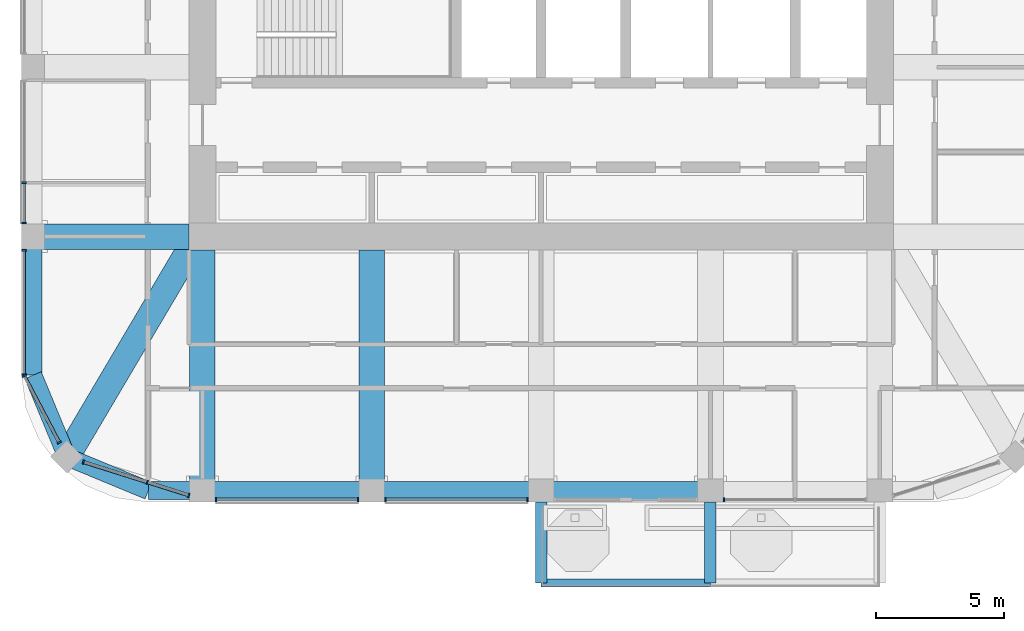
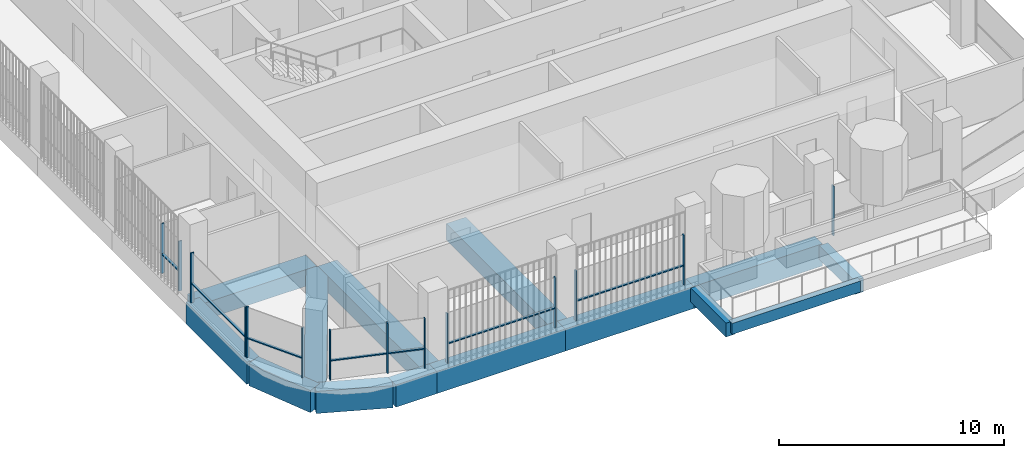
# One storey, part 2 of 21: 21 members, 14 beams, 7 elements without a shape of their own.
"""IFC4 building model written with IfcOpenShell, lengths in metres."""

from ifc_helpers import new_model, si_unit, direction, frame, origin, origin_2d, place, context, subcontext, project, spatial, rectangle, extrude, material, material_profile, profile_set, type_object, element, aggregate, save


model = new_model("IFC4")

# Units and contexts
model_context = context("Model", 3, precision=1e-05, world=origin(), true_north=direction((0.0, 1.0)))
body_context = subcontext(model_context, "Body", "Model", "MODEL_VIEW")
ifc_project = project(units=[si_unit("LENGTHUNIT", "METRE"), si_unit("AREAUNIT", "SQUARE_METRE"), si_unit("VOLUMEUNIT", "CUBIC_METRE"), si_unit("PLANEANGLEUNIT", "RADIAN"), si_unit("MASSUNIT", "GRAM", prefix="KILO")], contexts=[model_context])

# Site, building, storey
site_placement = place(None, origin())
site = spatial("IfcSite", under=ifc_project, at=site_placement, CompositionType="ELEMENT")
building_placement = place(site_placement, origin())
building = spatial("IfcBuilding", under=site, at=building_placement, Name="Cobogo Forest Laboratory Tower", CompositionType="ELEMENT")
storey_placement = place(building_placement, frame((0.0, 0.0, 275.39990234375)))
storey = spatial("IfcBuildingStorey", under=building, at=storey_placement, Name="L63", CompositionType="ELEMENT", Elevation=275.39990234375)

# Beams
ifc_material_1 = material(Name="Concrete HA-40 (C40/50)", Category="concrete")
ifc_material_profile_1 = material_profile(ifc_material_1, rectangle(XDim=0.449951171875, YDim=0.75, at=origin_2d()), Name="RC 450x750")
ifc_profile_set_1 = profile_set([ifc_material_profile_1], Name="Concrete HA-40 (C40/50)")
beam_type_1 = type_object("IfcBeamType", Name="Balcony cantilever beam 450x750", PredefinedType="BEAM", material=ifc_profile_set_1)
for number, where, z_axis, x_axis, name in (
    (1, (26.39990234375, 2.85009765625, -0.625), (0.0, -1.0, 0.0), (1.0, 0.0, 0.0), "CB1 BAL-S1-C1 L63"),
    (2, (33.0, 2.85009765625, -0.625), (0.0, -1.0, 0.0), (1.0, 0.0, 0.0), "CB1 BAL-S1-C2 L63"),
):
    element("IfcBeam", number, at=place(storey_placement, frame(where, z_axis=z_axis, x_axis=x_axis)), inside=storey, type_object=beam_type_1, Name=name, PredefinedType="BEAM", context=body_context, shape_type="SweptSolid", body=[
        extrude(rectangle(XDim=0.449951171875, YDim=0.75, at=origin_2d()), origin(), (0.0, 0.0, 1.0), 3.150146484375),
    ])
ifc_material_profile_2 = material_profile(ifc_material_1, rectangle(XDim=0.300048828125, YDim=0.60009765625, at=origin_2d()), Name="RC 300x600")
ifc_profile_set_2 = profile_set([ifc_material_profile_2], Name="Concrete HA-40 (C40/50)")
beam_type_2 = type_object("IfcBeamType", Name="Balcony edge beam 300x600", PredefinedType="BEAM", material=ifc_profile_set_2)
beam_1_placement = place(storey_placement, frame((26.39990234375, -0.300048828125, -0.5498046875), z_axis=(1.0, 0.0, 0.0), x_axis=(0.0, 1.0, 0.0)))
element("IfcBeam", 3, at=beam_1_placement, inside=storey, type_object=beam_type_2, Name="BB1 BAL-S1-T1 L63", PredefinedType="BEAM", context=body_context, shape_type="SweptSolid", body=[
    extrude(rectangle(XDim=0.300048828125, YDim=0.60009765625, at=origin_2d()), origin(), (0.0, 0.0, 1.0), 6.60009765625),
])

# Curtain wall, members
ifc_material_2 = material(Name="Aluminium curtain wall", Category="aluminium")
curtain_wall_type = type_object("IfcCurtainWallType", Name="CW-2 unitised curtain wall, solar control glazing, laboratory floors zones C and D", PredefinedType="USERDEFINED", material=ifc_material_2)
curtain_wall_1_placement = place(storey_placement, origin())
curtain_wall_1 = element("IfcCurtainWall", 4, at=curtain_wall_1_placement, inside=storey, type_object=curtain_wall_type, Name="Curtain wall 01 L63", ObjectType="UNITISED CURTAIN WALL", PredefinedType="USERDEFINED")
ifc_material_3 = material(Name="Aluminium mullion", Category="aluminium")
ifc_material_profile_3 = material_profile(ifc_material_3, rectangle(XDim=0.06005859375, YDim=0.159912109375, at=origin_2d()), Name="AL 60x160")
ifc_profile_set_3 = profile_set([ifc_material_profile_3], Name="Aluminium mullion")
member_type_1 = type_object("IfcMemberType", Name="MU-1 aluminium mullion 60x160", PredefinedType="MULLION", material=ifc_profile_set_3)
member_1_placement = place(storey_placement, frame((13.72998046875, 2.949951171875, 0.0), z_axis=(0.0, 0.0, 1.0), x_axis=(1.0, 0.0, 0.0)))
member_1 = element("IfcMember", 5, at=member_1_placement, type_object=member_type_1, Name="CW-2 mullion 1", PredefinedType="MULLION", context=body_context, shape_type="SweptSolid", body=[
    extrude(rectangle(XDim=0.06005859375, YDim=0.159912109375, at=origin_2d()), origin(), (0.0, 0.0, 1.0), 2.7001953125),
])
member_2_placement = place(storey_placement, frame((19.27001953125, 2.949951171875, 0.0), z_axis=(0.0, 0.0, 1.0), x_axis=(1.0, 0.0, 0.0)))
member_2 = element("IfcMember", 6, at=member_2_placement, type_object=member_type_1, Name="CW-2 mullion 2", PredefinedType="MULLION", context=body_context, shape_type="SweptSolid", body=[
    extrude(rectangle(XDim=0.06005859375, YDim=0.159912109375, at=origin_2d()), origin(), (0.0, 0.0, 1.0), 2.7001953125),
])

curtain_wall_2_placement = place(storey_placement, origin())
curtain_wall_2 = element("IfcCurtainWall", 7, at=curtain_wall_2_placement, inside=storey, type_object=curtain_wall_type, Name="Curtain wall 02 L63", ObjectType="UNITISED CURTAIN WALL", PredefinedType="USERDEFINED")
member_3_placement = place(storey_placement, frame((20.330078125, 2.949951171875, 0.0), z_axis=(0.0, 0.0, 1.0), x_axis=(1.0, 0.0, 0.0)))
member_3 = element("IfcMember", 8, at=member_3_placement, type_object=member_type_1, Name="CW-2 mullion 1", PredefinedType="MULLION", context=body_context, shape_type="SweptSolid", body=[
    extrude(rectangle(XDim=0.06005859375, YDim=0.159912109375, at=origin_2d()), origin(), (0.0, 0.0, 1.0), 2.7001953125),
])
member_4_placement = place(storey_placement, frame((25.8701171875, 2.949951171875, 0.0), z_axis=(0.0, 0.0, 1.0), x_axis=(1.0, 0.0, 0.0)))
member_4 = element("IfcMember", 9, at=member_4_placement, type_object=member_type_1, Name="CW-2 mullion 2", PredefinedType="MULLION", context=body_context, shape_type="SweptSolid", body=[
    extrude(rectangle(XDim=0.06005859375, YDim=0.159912109375, at=origin_2d()), origin(), (0.0, 0.0, 1.0), 2.7001953125),
])

# Curtain wall, member
curtain_wall_3_placement = place(storey_placement, origin())
curtain_wall_3 = element("IfcCurtainWall", 10, at=curtain_wall_3_placement, inside=storey, type_object=curtain_wall_type, Name="Curtain wall 04 L63", ObjectType="UNITISED CURTAIN WALL", PredefinedType="USERDEFINED")
member_5_placement = place(storey_placement, frame((33.530029296875, 2.949951171875, 0.0), z_axis=(0.0, 0.0, 1.0), x_axis=(1.0, 0.0, 0.0)))
member_5 = element("IfcMember", 11, at=member_5_placement, type_object=member_type_1, Name="CW-2 mullion 1", PredefinedType="MULLION", context=body_context, shape_type="SweptSolid", body=[
    extrude(rectangle(XDim=0.06005859375, YDim=0.159912109375, at=origin_2d()), origin(), (0.0, 0.0, 1.0), 2.7001953125),
])
aggregate(curtain_wall_3, [member_5])

# Curtain wall, members
curtain_wall_4_placement = place(storey_placement, origin())
curtain_wall_4 = element("IfcCurtainWall", 12, at=curtain_wall_4_placement, inside=storey, type_object=curtain_wall_type, Name="Curtain wall 23 L63", ObjectType="UNITISED CURTAIN WALL", PredefinedType="USERDEFINED")
member_6_placement = place(storey_placement, frame((6.25, 15.300048828125, 0.0), z_axis=(0.0, 0.0, 1.0), x_axis=(0.0, -1.0, 0.0)))
member_6 = element("IfcMember", 13, at=member_6_placement, type_object=member_type_1, Name="CW-2 mullion 2", PredefinedType="MULLION", context=body_context, shape_type="SweptSolid", body=[
    extrude(rectangle(XDim=0.06005859375, YDim=0.159912109375, at=origin_2d()), origin(), (0.0, 0.0, 1.0), 2.7001953125),
])
member_7_placement = place(storey_placement, frame((6.25, 13.72998046875, 0.0), z_axis=(0.0, 0.0, 1.0), x_axis=(0.0, -1.0, 0.0)))
member_7 = element("IfcMember", 14, at=member_7_placement, type_object=member_type_1, Name="CW-2 mullion 3", PredefinedType="MULLION", context=body_context, shape_type="SweptSolid", body=[
    extrude(rectangle(XDim=0.06005859375, YDim=0.159912109375, at=origin_2d()), origin(), (0.0, 0.0, 1.0), 2.7001953125),
])

curtain_wall_5_placement = place(storey_placement, origin())
curtain_wall_5 = element("IfcCurtainWall", 15, at=curtain_wall_5_placement, inside=storey, type_object=curtain_wall_type, Name="Curtain wall 24 L63", ObjectType="UNITISED CURTAIN WALL", PredefinedType="USERDEFINED")
member_8_placement = place(storey_placement, frame((6.25, 12.669921875, 0.0), z_axis=(0.0, 0.0, 1.0), x_axis=(0.0, -1.0, 0.0)))
member_8 = element("IfcMember", 16, at=member_8_placement, type_object=member_type_1, Name="CW-2 mullion 1", PredefinedType="MULLION", context=body_context, shape_type="SweptSolid", body=[
    extrude(rectangle(XDim=0.06005859375, YDim=0.159912109375, at=origin_2d()), origin(), (0.0, 0.0, 1.0), 2.7001953125),
])
member_9_placement = place(storey_placement, frame((6.25, 7.830078125, 0.0), z_axis=(0.0, 0.0, 1.0), x_axis=(0.0, -1.0, 0.0)))
member_9 = element("IfcMember", 17, at=member_9_placement, type_object=member_type_1, Name="CW-2 mullion 2", PredefinedType="MULLION", context=body_context, shape_type="SweptSolid", body=[
    extrude(rectangle(XDim=0.06005859375, YDim=0.159912109375, at=origin_2d()), origin(), (0.0, 0.0, 1.0), 2.7001953125),
])

curtain_wall_6_placement = place(storey_placement, origin())
curtain_wall_6 = element("IfcCurtainWall", 18, at=curtain_wall_6_placement, inside=storey, type_object=curtain_wall_type, Name="Curtain wall 25 L63", ObjectType="UNITISED CURTAIN WALL", PredefinedType="USERDEFINED")
member_10_placement = place(storey_placement, frame((6.263916015625, 7.7734375, 0.0), z_axis=(0.0, 0.0, 1.0), x_axis=(0.464283778337, -0.885686498245, 0.0)))
member_10 = element("IfcMember", 19, at=member_10_placement, type_object=member_type_1, Name="CW-2 mullion 1", PredefinedType="MULLION", context=body_context, shape_type="SweptSolid", body=[
    extrude(rectangle(XDim=0.06005859375, YDim=0.159912109375, at=origin_2d()), origin(), (0.0, 0.0, 1.0), 2.7001953125),
])
member_11_placement = place(storey_placement, frame((7.6220703125, 5.1826171875, 0.0), z_axis=(0.0, 0.0, 1.0), x_axis=(0.464283778337, -0.885686498245, 0.0)))
member_11 = element("IfcMember", 20, at=member_11_placement, type_object=member_type_1, Name="CW-2 mullion 2", PredefinedType="MULLION", context=body_context, shape_type="SweptSolid", body=[
    extrude(rectangle(XDim=0.06005859375, YDim=0.159912109375, at=origin_2d()), origin(), (0.0, 0.0, 1.0), 2.7001953125),
])

curtain_wall_7_placement = place(storey_placement, origin())
curtain_wall_7 = element("IfcCurtainWall", 21, at=curtain_wall_7_placement, inside=storey, type_object=curtain_wall_type, Name="Curtain wall 26 L63", ObjectType="UNITISED CURTAIN WALL", PredefinedType="USERDEFINED")
member_12_placement = place(storey_placement, frame((8.570068359375, 4.412109375, 0.0), z_axis=(0.0, 0.0, 1.0), x_axis=(0.953581379409, -0.301135439371, 0.0)))
member_12 = element("IfcMember", 22, at=member_12_placement, type_object=member_type_1, Name="CW-2 mullion 1", PredefinedType="MULLION", context=body_context, shape_type="SweptSolid", body=[
    extrude(rectangle(XDim=0.06005859375, YDim=0.159912109375, at=origin_2d()), origin(), (0.0, 0.0, 1.0), 2.7001953125),
])
member_13_placement = place(storey_placement, frame((11.051025390625, 3.628662109375, 0.0), z_axis=(0.0, 0.0, 1.0), x_axis=(0.953581379409, -0.301135439371, 0.0)))
member_13 = element("IfcMember", 23, at=member_13_placement, type_object=member_type_1, Name="CW-2 mullion 2", PredefinedType="MULLION", context=body_context, shape_type="SweptSolid", body=[
    extrude(rectangle(XDim=0.06005859375, YDim=0.159912109375, at=origin_2d()), origin(), (0.0, 0.0, 1.0), 2.7001953125),
])
member_14_placement = place(storey_placement, frame((12.67138671875, 3.116943359375, 0.0), z_axis=(0.0, 0.0, 1.0), x_axis=(0.953581379409, -0.301135439371, 0.0)))
member_14 = element("IfcMember", 24, at=member_14_placement, type_object=member_type_1, Name="CW-2 mullion 3", PredefinedType="MULLION", context=body_context, shape_type="SweptSolid", body=[
    extrude(rectangle(XDim=0.06005859375, YDim=0.159912109375, at=origin_2d()), origin(), (0.0, 0.0, 1.0), 2.7001953125),
])

# Beams
ifc_material_profile_4 = material_profile(ifc_material_1, rectangle(XDim=1.0, YDim=0.89990234375, at=origin_2d()), Name="RC 1000x900")
ifc_profile_set_4 = profile_set([ifc_material_profile_4], Name="Concrete HA-40 (C40/50)")
beam_type_3 = type_object("IfcBeamType", Name="Office floor wide beam 1000x900", PredefinedType="BEAM", material=ifc_profile_set_4)
for number, where, z_axis, x_axis, name in (
    (25, (13.199951171875, 12.675048828125, -0.75), (0.0, -1.0, 0.0), (1.0, 0.0, 0.0), "RB2 R-3-S L63"),
    (26, (19.800048828125, 12.675048828125, -0.75), (0.0, -1.0, 0.0), (1.0, 0.0, 0.0), "RB2 R-4-S L63"),
):
    element("IfcBeam", number, at=place(storey_placement, frame(where, z_axis=z_axis, x_axis=x_axis)), inside=storey, type_object=beam_type_3, Name=name, PredefinedType="BEAM", context=body_context, shape_type="SweptSolid", body=[
        extrude(rectangle(XDim=1.0, YDim=0.89990234375, at=origin_2d()), origin(), (0.0, 0.0, 1.0), 9.375),
    ])
beam_2_placement = place(storey_placement, frame((12.675048828125, 13.199951171875, -0.75), z_axis=(-1.0, 0.0, 0.0), x_axis=(0.0, -1.0, 0.0)))
element("IfcBeam", 27, at=beam_2_placement, inside=storey, type_object=beam_type_3, Name="RB2 R-C-W L63", PredefinedType="BEAM", context=body_context, shape_type="SweptSolid", body=[
    extrude(rectangle(XDim=1.0, YDim=0.89990234375, at=origin_2d()), origin(), (0.0, 0.0, 1.0), 6.074951171875),
])
beam_3_placement = place(storey_placement, frame((7.91796875, 4.617919921875, -0.75), z_axis=(0.508416325908, 0.861111397875, 0.0), x_axis=(-0.861111397875, 0.508416325908, 0.0)))
element("IfcBeam", 28, at=beam_3_placement, inside=storey, type_object=beam_type_3, Name="RB2 G-SW-D1 L63", PredefinedType="BEAM", context=body_context, shape_type="SweptSolid", body=[
    extrude(rectangle(XDim=1.0, YDim=0.89990234375, at=origin_2d()), origin(), (0.0, 0.0, 1.0), 9.356689453125),
])
ifc_material_profile_5 = material_profile(ifc_material_1, rectangle(XDim=0.699951171875, YDim=1.199951171875, at=origin_2d()), Name="RC 700x1200")
ifc_profile_set_5 = profile_set([ifc_material_profile_5], Name="Concrete HA-40 (C40/50)")
beam_type_4 = type_object("IfcBeamType", Name="Perimeter edge beam 700x1200", PredefinedType="BEAM", material=ifc_profile_set_5)
beam_4_placement = place(storey_placement, frame((13.199951171875, 3.300048828125, -0.89990234375), z_axis=(1.0, 0.0, 0.0), x_axis=(0.0, 1.0, 0.0)))
element("IfcBeam", 29, at=beam_4_placement, inside=storey, type_object=beam_type_4, Name="EB1 E-S1 L63", PredefinedType="BEAM", context=body_context, shape_type="SweptSolid", body=[
    extrude(rectangle(XDim=0.699951171875, YDim=1.199951171875, at=origin_2d()), origin(), (0.0, 0.0, 1.0), 6.60009765625),
])
beam_5_placement = place(storey_placement, frame((19.800048828125, 3.300048828125, -0.89990234375), z_axis=(1.0, 0.0, 0.0), x_axis=(0.0, 1.0, 0.0)))
element("IfcBeam", 30, at=beam_5_placement, inside=storey, type_object=beam_type_4, Name="EB1 E-S2 L63", PredefinedType="BEAM", context=body_context, shape_type="SweptSolid", body=[
    extrude(rectangle(XDim=0.699951171875, YDim=1.199951171875, at=origin_2d()), origin(), (0.0, 0.0, 1.0), 6.599853515625),
])
beam_6_placement = place(storey_placement, frame((26.39990234375, 3.300048828125, -0.89990234375), z_axis=(1.0, 0.0, 0.0), x_axis=(0.0, 1.0, 0.0)))
element("IfcBeam", 31, at=beam_6_placement, inside=storey, type_object=beam_type_4, Name="EB1 E-S3 L63", PredefinedType="BEAM", context=body_context, shape_type="SweptSolid", body=[
    extrude(rectangle(XDim=0.699951171875, YDim=1.199951171875, at=origin_2d()), origin(), (0.0, 0.0, 1.0), 6.60009765625),
])
beam_7_placement = place(storey_placement, frame((13.199951171875, 3.300048828125, -0.89990234375), z_axis=(-1.0, 0.0, 0.0), x_axis=(0.0, -1.0, 0.0)))
element("IfcBeam", 32, at=beam_7_placement, inside=storey, type_object=beam_type_4, Name="EB1 E-SWS1 L63", PredefinedType="BEAM", context=body_context, shape_type="SweptSolid", body=[
    extrude(rectangle(XDim=0.699951171875, YDim=1.199951171875, at=origin_2d()), origin(), (0.0, 0.0, 1.0), 2.099853515625),
])
beam_8_placement = place(storey_placement, frame((11.10009765625, 3.300048828125, -0.89990234375), z_axis=(-0.923901072997, 0.382631424892, 0.0), x_axis=(-0.382631424892, -0.923901072997, 0.0)))
element("IfcBeam", 33, at=beam_8_placement, inside=storey, type_object=beam_type_4, Name="EB1 E-SWS2 L63", PredefinedType="BEAM", context=body_context, shape_type="SweptSolid", body=[
    extrude(rectangle(XDim=0.699951171875, YDim=1.199951171875, at=origin_2d()), origin(), (0.0, 0.0, 1.0), 3.4443359375),
])
beam_9_placement = place(storey_placement, frame((6.60009765625, 13.199951171875, -0.89990234375), z_axis=(0.0, -1.0, 0.0), x_axis=(1.0, 0.0, 0.0)))
element("IfcBeam", 34, at=beam_9_placement, inside=storey, type_object=beam_type_4, Name="EB1 E-SWW1 L63", PredefinedType="BEAM", context=body_context, shape_type="SweptSolid", body=[
    extrude(rectangle(XDim=0.699951171875, YDim=1.199951171875, at=origin_2d()), origin(), (0.0, 0.0, 1.0), 5.39990234375),
])
beam_10_placement = place(storey_placement, frame((6.60009765625, 7.800048828125, -0.89990234375), z_axis=(0.382631424892, -0.923901072997, 0.0), x_axis=(0.923901072997, 0.382631424892, 0.0)))
element("IfcBeam", 35, at=beam_10_placement, inside=storey, type_object=beam_type_4, Name="EB1 E-SWW2 L63", PredefinedType="BEAM", context=body_context, shape_type="SweptSolid", body=[
    extrude(rectangle(XDim=0.699951171875, YDim=1.199951171875, at=origin_2d()), origin(), (0.0, 0.0, 1.0), 3.4443359375),
])

# Member
ifc_material_4 = material(Name="Aluminium transom", Category="aluminium")
ifc_material_profile_6 = material_profile(ifc_material_4, rectangle(XDim=0.1201171875, YDim=0.06005859375, at=origin_2d()), Name="AL 60x120")
ifc_profile_set_6 = profile_set([ifc_material_profile_6], Name="Aluminium transom")
member_type_2 = type_object("IfcMemberType", Name="TR-1 aluminium transom 60x120", PredefinedType="USERDEFINED", material=ifc_profile_set_6)
member_15_placement = place(storey_placement, frame((13.760009765625, 2.949951171875, 1.050048828125), z_axis=(1.0, 0.0, 0.0), x_axis=(0.0, 1.0, 0.0)))
member_15 = element("IfcMember", 36, at=member_15_placement, type_object=member_type_2, Name="CW-2 transom 1.1", ObjectType="TRANSOM", PredefinedType="USERDEFINED", context=body_context, shape_type="SweptSolid", body=[
    extrude(rectangle(XDim=0.1201171875, YDim=0.06005859375, at=origin_2d()), origin(), (0.0, 0.0, 1.0), 5.47998046875),
])

aggregate(curtain_wall_1, [member_1, member_2, member_15])

member_16_placement = place(storey_placement, frame((20.360107421875, 2.949951171875, 1.050048828125), z_axis=(1.0, 0.0, 0.0), x_axis=(0.0, 1.0, 0.0)))
member_16 = element("IfcMember", 37, at=member_16_placement, type_object=member_type_2, Name="CW-2 transom 1.1", ObjectType="TRANSOM", PredefinedType="USERDEFINED", context=body_context, shape_type="SweptSolid", body=[
    extrude(rectangle(XDim=0.1201171875, YDim=0.06005859375, at=origin_2d()), origin(), (0.0, 0.0, 1.0), 5.47998046875),
])

aggregate(curtain_wall_2, [member_3, member_4, member_16])

member_17_placement = place(storey_placement, frame((6.25, 15.27001953125, 1.050048828125), z_axis=(0.0, -1.0, 0.0), x_axis=(1.0, 0.0, 0.0)))
member_17 = element("IfcMember", 38, at=member_17_placement, type_object=member_type_2, Name="CW-2 transom 2.1", ObjectType="TRANSOM", PredefinedType="USERDEFINED", context=body_context, shape_type="SweptSolid", body=[
    extrude(rectangle(XDim=0.1201171875, YDim=0.06005859375, at=origin_2d()), origin(), (0.0, 0.0, 1.0), 1.510009765625),
])

aggregate(curtain_wall_4, [member_6, member_7, member_17])

member_18_placement = place(storey_placement, frame((6.25, 12.639892578125, 1.050048828125), z_axis=(0.0, -1.0, 0.0), x_axis=(1.0, 0.0, 0.0)))
member_18 = element("IfcMember", 39, at=member_18_placement, type_object=member_type_2, Name="CW-2 transom 1.1", ObjectType="TRANSOM", PredefinedType="USERDEFINED", context=body_context, shape_type="SweptSolid", body=[
    extrude(rectangle(XDim=0.1201171875, YDim=0.06005859375, at=origin_2d()), origin(), (0.0, 0.0, 1.0), 4.77978515625),
])

aggregate(curtain_wall_5, [member_8, member_9, member_18])

member_19_placement = place(storey_placement, frame((6.27783203125, 7.746826171875, 1.050048828125), z_axis=(0.46430944806, -0.885673041501, 0.0), x_axis=(0.885673041501, 0.46430944806, 0.0)))
member_19 = element("IfcMember", 40, at=member_19_placement, type_object=member_type_2, Name="CW-2 transom 1.1", ObjectType="TRANSOM", PredefinedType="USERDEFINED", context=body_context, shape_type="SweptSolid", body=[
    extrude(rectangle(XDim=0.1201171875, YDim=0.06005859375, at=origin_2d()), origin(), (0.0, 0.0, 1.0), 2.865234375),
])

aggregate(curtain_wall_6, [member_10, member_11, member_19])

member_20_placement = place(storey_placement, frame((8.5986328125, 4.403076171875, 1.050048828125), z_axis=(0.953578309712, -0.301145159761, 0.0), x_axis=(0.301145159761, 0.953578309712, 0.0)))
member_20 = element("IfcMember", 41, at=member_20_placement, type_object=member_type_2, Name="CW-2 transom 1.1", ObjectType="TRANSOM", PredefinedType="USERDEFINED", context=body_context, shape_type="SweptSolid", body=[
    extrude(rectangle(XDim=0.1201171875, YDim=0.06005859375, at=origin_2d()), origin(), (0.0, 0.0, 1.0), 2.54150390625),
])

member_21_placement = place(storey_placement, frame((11.07958984375, 3.61962890625, 1.050048828125), z_axis=(0.953582665134, -0.301131367937, 0.0), x_axis=(0.301131367937, 0.953582665134, 0.0)))
member_21 = element("IfcMember", 42, at=member_21_placement, type_object=member_type_2, Name="CW-2 transom 2.1", ObjectType="TRANSOM", PredefinedType="USERDEFINED", context=body_context, shape_type="SweptSolid", body=[
    extrude(rectangle(XDim=0.1201171875, YDim=0.06005859375, at=origin_2d()), origin(), (0.0, 0.0, 1.0), 1.639404296875),
])

aggregate(curtain_wall_7, [member_12, member_13, member_14, member_20, member_21])

save(model, "model.ifc")
